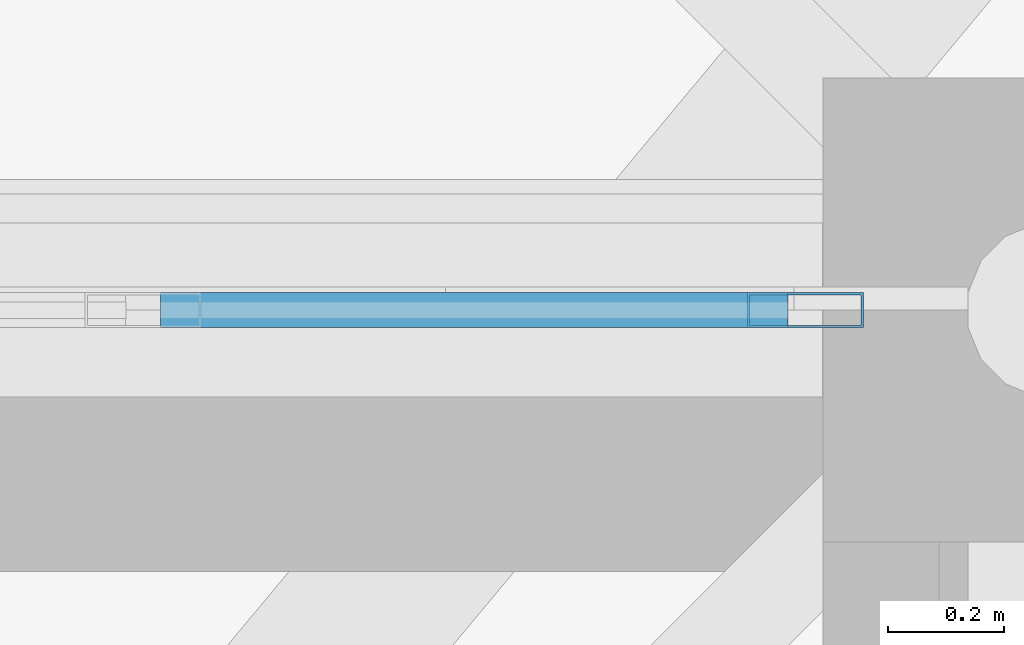
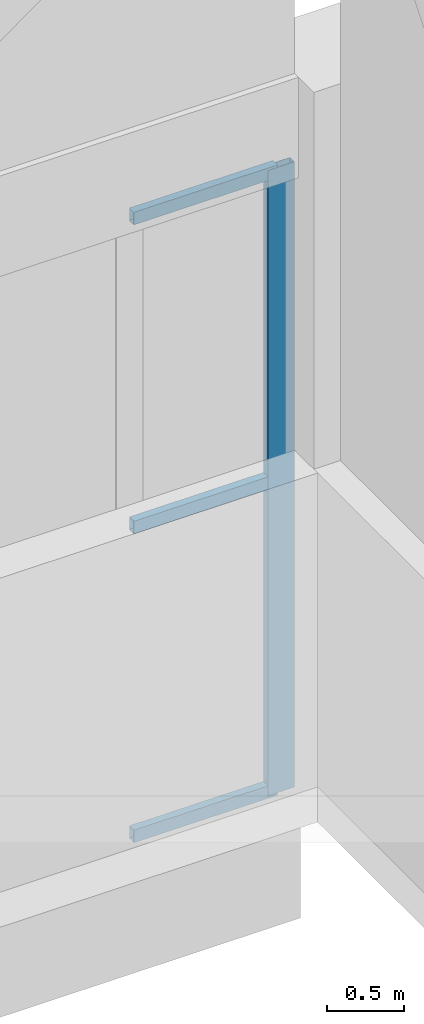
# One storey, part 151 of 437: 4 members, 1 element without a shape of its own.
"""IFC4 building model written with IfcOpenShell, lengths in metres."""

import ifcopenshell
import ifcopenshell.guid

model = None  # the IFC model being written
_history = None  # IfcOwnerHistory: only IFC2X3 demands one
_inside = {}  # id of a spatial element -> (the spatial element, [elements in it])
_under = {}  # id of a project, library or spatial element -> (it, [spatial elements below it])
_declared = {}  # id of a project -> (the project, [libraries it declares])
_typed = {}  # id of a type object -> (the type object, [elements of that type])
_made_of = {}  # id of a material, layer set ... -> (it, [elements and type objects made of it])


def new_model(schema):
    """Start an empty IFC model of exactly this schema.

    Asked for "IFC4X3", IfcOpenShell would pick the latest addendum, in which some entities
    have other attributes; the version numbers below select the first issue.
    IFC2X3 requires an IfcOwnerHistory on every rooted entity: one is made here for all.
    """
    global model, _history
    if schema == "IFC4X3":
        model = ifcopenshell.file(schema_version=(4, 3, 0, 0))
    else:
        model = ifcopenshell.file(schema=schema)
    _inside.clear()
    _under.clear()
    _declared.clear()
    _typed.clear()
    _made_of.clear()
    _history = None
    if model.schema == "IFC2X3":
        org = make("IfcOrganization", Name="unknown")
        user = make(
            "IfcPersonAndOrganization",
            ThePerson=make("IfcPerson", FamilyName="unknown"),
            TheOrganization=org,
        )
        app = make(
            "IfcApplication",
            ApplicationDeveloper=org,
            Version="unknown",
            ApplicationFullName="unknown",
            ApplicationIdentifier="unknown",
        )
        _history = make(
            "IfcOwnerHistory",
            OwningUser=user,
            OwningApplication=app,
            ChangeAction="ADDED",
            CreationDate=0,
        )
    return model


def make(cls, **values):
    """One entity of the class cls with the attributes given. An attribute that is None is left unset."""
    return model.create_entity(
        cls, **{name: value for name, value in values.items() if value is not None}
    )


def rooted(cls, **values):
    """An entity with a GlobalId (a new one), such as an element, a storey or a relation."""
    return make(cls, GlobalId=ifcopenshell.guid.new(), OwnerHistory=_history, **values)


def si_unit(unit_type, name, prefix=None):
    """IfcSIUnit, for example si_unit("LENGTHUNIT", "METRE", prefix="MILLI")."""
    return make("IfcSIUnit", UnitType=unit_type, Prefix=prefix, Name=name)


def assignment(units):
    """IfcUnitAssignment: the units of a project."""
    return None if units is None else make("IfcUnitAssignment", Units=units)


def point(xyz):
    """IfcCartesianPoint."""
    return None if xyz is None else make("IfcCartesianPoint", Coordinates=xyz)


def direction(xyz):
    """IfcDirection."""
    return None if xyz is None else make("IfcDirection", DirectionRatios=xyz)


def frame(location, z_axis=None, x_axis=None):
    """IfcAxis2Placement3D, a coordinate frame: its origin and axes. An axis left out is left unset."""
    return make(
        "IfcAxis2Placement3D",
        Location=point(location),
        Axis=direction(z_axis),
        RefDirection=direction(x_axis),
    )


def frame_2d(location, x_axis=None):
    """IfcAxis2Placement2D, a coordinate frame in the plane: its origin and x axis."""
    return make(
        "IfcAxis2Placement2D", Location=point(location), RefDirection=direction(x_axis)
    )


def origin():
    """The frame at (0, 0, 0) with its axes left unset."""
    return frame((0.0, 0.0, 0.0))


def origin_2d():
    """The frame at (0, 0) in the plane with its x axis left unset."""
    return frame_2d((0.0, 0.0))


def place(relative_to, where):
    """IfcLocalPlacement: puts the frame where relative to a parent placement (None: the world)."""
    return make(
        "IfcLocalPlacement", PlacementRelTo=relative_to, RelativePlacement=where
    )


def context(
    kind, dimensions, precision=None, world=None, true_north=None, identifier=None
):
    """IfcGeometricRepresentationContext, for example the 3D "Model" context."""
    return make(
        "IfcGeometricRepresentationContext",
        ContextIdentifier=identifier,
        ContextType=kind,
        CoordinateSpaceDimension=dimensions,
        Precision=precision,
        WorldCoordinateSystem=world,
        TrueNorth=true_north,
    )


def subcontext(parent, identifier, kind, view, scale=None):
    """IfcGeometricRepresentationSubContext, for example "Body" below "Model"."""
    return make(
        "IfcGeometricRepresentationSubContext",
        ContextIdentifier=identifier,
        ContextType=kind,
        ParentContext=parent,
        TargetScale=scale,
        TargetView=view,
    )


def project(units=None, contexts=None):
    """IfcProject with its units and contexts."""
    return rooted(
        "IfcProject",
        Name="project",
        RepresentationContexts=contexts,
        UnitsInContext=assignment(units),
    )


def spatial(cls, under=None, at=None, **own):
    """A site, building, storey or space (cls), placed at a placement, below another one or the project."""
    s = rooted(cls, ObjectPlacement=at, **own)
    if under is not None:
        _under.setdefault(under.id(), (under, []))[1].append(s)
    return s


def profile(cls, at=None, kind="AREA", **sizes):
    """A parametric profile (cls). Its sizes go by their IFC names, for example OverallWidth=200.0."""
    return make(cls, ProfileType=kind, Position=at, **sizes)


def hollow_rectangle(**sizes):
    """IfcRectangleHollowProfileDef."""
    return profile("IfcRectangleHollowProfileDef", **sizes)


def extrude(swept, where, along, depth):
    """IfcExtrudedAreaSolid: the profile swept, set in the frame where, extruded along a direction by depth."""
    return make(
        "IfcExtrudedAreaSolid",
        SweptArea=swept,
        Position=where,
        ExtrudedDirection=direction(along),
        Depth=depth,
    )


def shape(context_of_items, identifier, shape_type, items):
    """IfcShapeRepresentation: the items that make up one representation, for example the "Body"."""
    return make(
        "IfcShapeRepresentation",
        ContextOfItems=context_of_items,
        RepresentationIdentifier=identifier,
        RepresentationType=shape_type,
        Items=items,
    )


def material(Name=None, Category=None):
    """IfcMaterial."""
    return make("IfcMaterial", Name=Name, Category=Category)


def layer(
    of_material, thickness, ventilated=None, Name=None, Category=None, Priority=None
):
    """IfcMaterialLayer: one layer of a wall or slab, of a material (None: an air gap)."""
    return make(
        "IfcMaterialLayer",
        Material=of_material,
        LayerThickness=thickness,
        IsVentilated=ventilated,
        Name=Name,
        Category=Category,
        Priority=Priority,
    )


def layer_set(layers, Name=None):
    """IfcMaterialLayerSet."""
    return make("IfcMaterialLayerSet", MaterialLayers=layers, LayerSetName=Name)


def material_profile(
    of_material, cross_section, Name=None, Category=None, Priority=None
):
    """IfcMaterialProfile: a cross section and its material."""
    return make(
        "IfcMaterialProfile",
        Name=Name,
        Material=of_material,
        Profile=cross_section,
        Priority=Priority,
        Category=Category,
    )


def profile_set(profiles, Name=None, composite=None):
    """IfcMaterialProfileSet."""
    return make(
        "IfcMaterialProfileSet",
        Name=Name,
        MaterialProfiles=profiles,
        CompositeProfile=composite,
    )


def made_of(thing, what):
    """Note that an element or type object is made of a material, layer set ...; save() writes the relation."""
    if what is not None:
        _made_of.setdefault(what.id(), (what, []))[1].append(thing)
    return thing


def type_object(cls, material=None, **own):
    """A type object (cls), such as IfcWallType, which elements share."""
    return made_of(rooted(cls, **own), material)


def element(
    cls,
    number,
    at=None,
    inside=None,
    cuts=None,
    type_object=None,
    material=None,
    context=None,
    identifier="Body",
    shape_type=None,
    held_by="IfcProductDefinitionShape",
    body=None,
    shapes=None,
    **own,
):
    """One element of the class cls, such as IfcWall. Its Tag is "e" and its number.

    at: its placement. inside: the storey or other place that contains it. cuts: it is an
    opening in that element (IfcRelVoidsElement). A single representation is given by context,
    identifier, shape_type and body (its items); several are given by shapes. held_by: the class
    of the entity that holds the representations. save() writes the other relations.
    """
    e = rooted(cls, Tag="e%d" % number, ObjectPlacement=at, **own)
    if body is not None:
        shapes = [shape(context, identifier, shape_type, body)]
    if shapes is not None:
        e.Representation = make(held_by, Representations=shapes)
    if inside is not None:
        _inside.setdefault(inside.id(), (inside, []))[1].append(e)
    if cuts is not None:
        rooted(
            "IfcRelVoidsElement", RelatingBuildingElement=cuts, RelatedOpeningElement=e
        )
    if type_object is not None:
        _typed.setdefault(type_object.id(), (type_object, []))[1].append(e)
    return made_of(e, material)


def aggregate(whole, parts):
    """IfcRelAggregates: a whole, such as a stair, and the parts it consists of."""
    return rooted("IfcRelAggregates", RelatingObject=whole, RelatedObjects=parts)


def save(model, path):
    """Write the relations noted so far, then the file.

    IfcRelAggregates (storeys below a building ...), IfcRelContainedInSpatialStructure (elements
    in a storey), IfcRelDefinesByType, IfcRelAssociatesMaterial and IfcRelDeclares: one each for
    every whole, place, type object, material and project.
    """
    for whole, parts in _under.values():
        aggregate(whole, parts)
    for where, things in _inside.values():
        rooted(
            "IfcRelContainedInSpatialStructure",
            RelatedElements=things,
            RelatingStructure=where,
        )
    for kind, things in _typed.values():
        rooted("IfcRelDefinesByType", RelatedObjects=things, RelatingType=kind)
    for what, things in _made_of.values():
        rooted("IfcRelAssociatesMaterial", RelatedObjects=things, RelatingMaterial=what)
    for by, libraries in _declared.values():
        rooted("IfcRelDeclares", RelatingContext=by, RelatedDefinitions=libraries)
    model.write(path)


model = new_model("IFC4")

# Units and contexts
model_context = context("Model", 3, precision=1e-05, world=origin(), true_north=direction((0.0, 1.0)))
body_context = subcontext(model_context, "Body", "Model", "MODEL_VIEW")
ifc_project = project(units=[si_unit("LENGTHUNIT", "METRE"), si_unit("AREAUNIT", "SQUARE_METRE"), si_unit("VOLUMEUNIT", "CUBIC_METRE"), si_unit("PLANEANGLEUNIT", "RADIAN"), si_unit("MASSUNIT", "GRAM", prefix="KILO")], contexts=[model_context])

# Site, building, storey
site_placement = place(None, origin())
site = spatial("IfcSite", under=ifc_project, at=site_placement, CompositionType="ELEMENT")
building_placement = place(site_placement, origin())
building = spatial("IfcBuilding", under=site, at=building_placement, Name="Opaline Strait Convention Centre", CompositionType="ELEMENT")
storey_placement = place(building_placement, frame((0.0, 0.0, 11.5)))
storey = spatial("IfcBuildingStorey", under=building, at=storey_placement, Name="L02", CompositionType="ELEMENT", Elevation=11.5)

# Curtain wall, members
ifc_material_1 = material(Name="Aluminium framed double glazing", Category="aluminium")
ifc_layer = layer(ifc_material_1, 0.199951171875)
ifc_layer_set = layer_set([ifc_layer], Name="Aluminium framed double glazing")
curtain_wall_type = type_object("IfcCurtainWallType", Name="Curtain wall 1250", PredefinedType="NOTDEFINED", material=ifc_layer_set)
curtain_wall_placement = place(storey_placement, origin())
curtain_wall = element("IfcCurtainWall", 1, at=curtain_wall_placement, inside=storey, type_object=curtain_wall_type, Name="Curtain wall N-63-L02", PredefinedType="NOTDEFINED")
ifc_material_2 = material(Name="Aluminium alloy 6063", Category="aluminium")
ifc_material_profile_1 = material_profile(ifc_material_2, hollow_rectangle(XDim=0.06005859375, YDim=0.199951171875, WallThickness=0.00390625, at=origin_2d()), Name="MULLION 60x200x4")
ifc_profile_set_1 = profile_set([ifc_material_profile_1], Name="Aluminium alloy 6063")
member_type_1 = type_object("IfcMemberType", Name="Curtain wall mullion 60 x 200", PredefinedType="MULLION", material=ifc_profile_set_1)
member_1_placement = place(storey_placement, frame((71.570068359375, 180.0, -0.280029296875), z_axis=(0.0, 0.0, 1.0), x_axis=(0.0, 1.0, 0.0)))
member_1 = element("IfcMember", 2, at=member_1_placement, type_object=member_type_1, Name="PCW mullion 8", PredefinedType="MULLION", context=body_context, shape_type="SweptSolid", body=[
    extrude(hollow_rectangle(XDim=0.06005859375, YDim=0.199951171875, WallThickness=0.00390625, at=origin_2d()), origin(), (0.0, 0.0, 1.0), 4.97998046875),
])
ifc_material_profile_2 = material_profile(ifc_material_2, hollow_rectangle(XDim=0.06005859375, YDim=0.10009765625, WallThickness=0.0029296875, at=origin_2d()), Name="TRANSOM 60x100x3")
ifc_profile_set_2 = profile_set([ifc_material_profile_2], Name="Aluminium alloy 6063")
member_type_2 = type_object("IfcMemberType", Name="Curtain wall transom 60 x 100", PredefinedType="USERDEFINED", material=ifc_profile_set_2)
member_2_placement = place(storey_placement, frame((70.458740234375, 180.0, -0.25), z_axis=(1.0, 0.0, 0.0), x_axis=(0.0, 1.0, 0.0)))
member_2 = element("IfcMember", 3, at=member_2_placement, type_object=member_type_2, Name="PCW transom 7.1", ObjectType="TRANSOM", PredefinedType="USERDEFINED", context=body_context, shape_type="SweptSolid", body=[
    extrude(hollow_rectangle(XDim=0.06005859375, YDim=0.10009765625, WallThickness=0.0029296875, at=origin_2d()), origin(), (0.0, 0.0, 1.0), 1.081298828125),
])
member_3_placement = place(storey_placement, frame((70.458740234375, 180.0, 2.2099609375), z_axis=(1.0, 0.0, 0.0), x_axis=(0.0, 1.0, 0.0)))
member_3 = element("IfcMember", 4, at=member_3_placement, type_object=member_type_2, Name="PCW transom 7.2", ObjectType="TRANSOM", PredefinedType="USERDEFINED", context=body_context, shape_type="SweptSolid", body=[
    extrude(hollow_rectangle(XDim=0.06005859375, YDim=0.10009765625, WallThickness=0.0029296875, at=origin_2d()), origin(), (0.0, 0.0, 1.0), 1.081298828125),
])
member_4_placement = place(storey_placement, frame((70.458740234375, 180.0, 4.669921875), z_axis=(1.0, 0.0, 0.0), x_axis=(0.0, 1.0, 0.0)))
member_4 = element("IfcMember", 5, at=member_4_placement, type_object=member_type_2, Name="PCW transom 7.3", ObjectType="TRANSOM", PredefinedType="USERDEFINED", context=body_context, shape_type="SweptSolid", body=[
    extrude(hollow_rectangle(XDim=0.06005859375, YDim=0.10009765625, WallThickness=0.0029296875, at=origin_2d()), origin(), (0.0, 0.0, 1.0), 1.081298828125),
])
aggregate(curtain_wall, [member_1, member_2, member_3, member_4])

save(model, "model.ifc")
